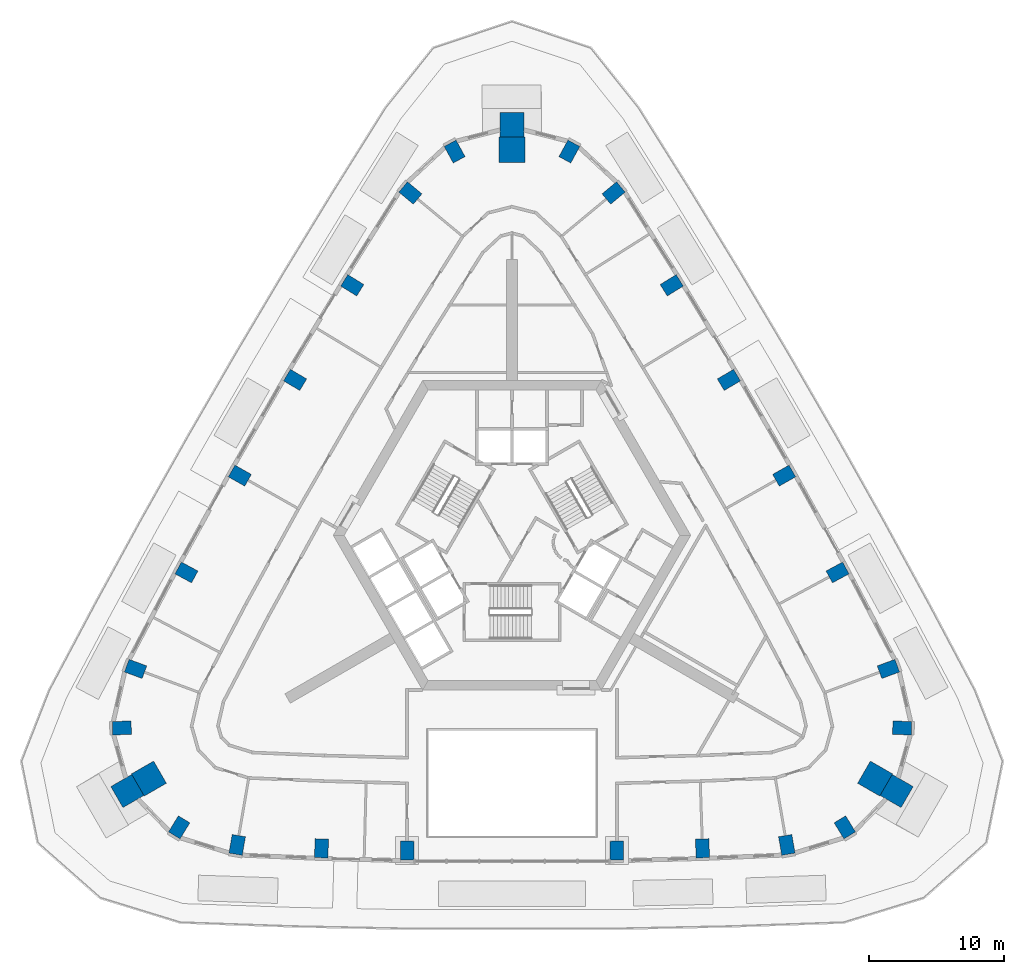
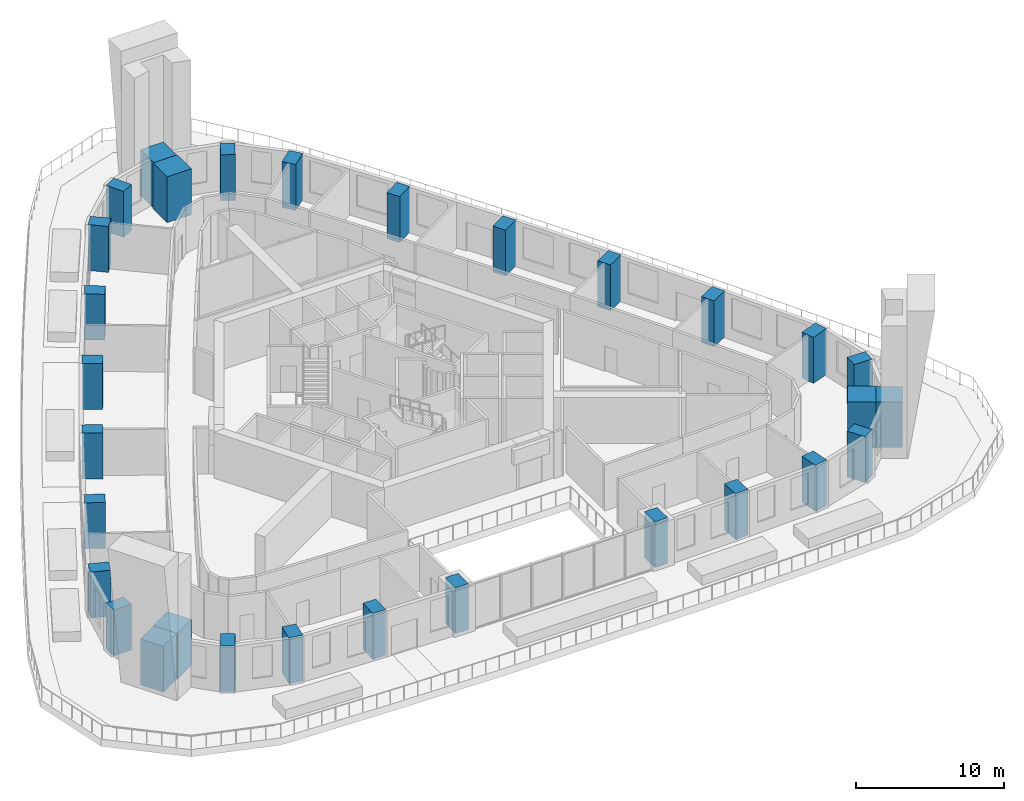
# One storey, part 1 of 13: 30 columns.
"""IFC4 building model written with IfcOpenShell, lengths in metres."""

from ifc_helpers import new_model, si_unit, direction, frame, origin, origin_2d, place, context, subcontext, project, spatial, rectangle, extrude, material, material_profile, profile_set, type_object, element, save


model = new_model("IFC4")

# Units and contexts
model_context = context("Model", 3, precision=1e-05, world=origin(), true_north=direction((0.0, 1.0)))
body_context = subcontext(model_context, "Body", "Model", "MODEL_VIEW")
ifc_project = project(units=[si_unit("LENGTHUNIT", "METRE"), si_unit("AREAUNIT", "SQUARE_METRE"), si_unit("VOLUMEUNIT", "CUBIC_METRE"), si_unit("PLANEANGLEUNIT", "RADIAN"), si_unit("MASSUNIT", "GRAM", prefix="KILO")], contexts=[model_context])

# Site, building, storey
site_placement = place(None, origin())
site = spatial("IfcSite", under=ifc_project, at=site_placement, CompositionType="ELEMENT")
building_placement = place(site_placement, origin())
building = spatial("IfcBuilding", under=site, at=building_placement, Name="Entoto Arch Interchange Tower", CompositionType="ELEMENT")
storey_placement = place(building_placement, frame((0.0, 0.0, 189.800048828125)))
storey = spatial("IfcBuildingStorey", under=building, at=storey_placement, Name="L42", CompositionType="ELEMENT", Elevation=189.800048828125)

# Columns
ifc_material_1 = material(Name="Concrete C50/60", Category="concrete")
ifc_material_profile_1 = material_profile(ifc_material_1, rectangle(XDim=1.0, YDim=1.39990234375, at=origin_2d()))
ifc_profile_set_1 = profile_set([ifc_material_profile_1], Name="Concrete C50/60")
column_type_1 = type_object("IfcColumnType", Name="Column RC 1000x1400 C50/60", PredefinedType="COLUMN", material=ifc_profile_set_1)
for number, where, z_axis, x_axis, name in (
    (1, (-20.4169921875, -20.5048828125, 0.0), (0.0, 0.0, 1.0), (-0.985541276773, 0.169435509195, 0.0), "Column S01 L42"),
    (2, (-14.154052734375, -20.760009765625, 0.0), (0.0, 0.0, 1.0), (-0.999420902032, 0.034027350502, 0.0), "Column S02 L42"),
    (3, (-7.7880859375, -20.927001953125, 0.0), (0.0, 0.0, 1.0), (-0.999913181484, 0.013176854508, 0.0), "Column S03 L42"),
    (4, (7.7880859375, -20.927001953125, 0.0), (0.0, 0.0, 1.0), (0.999913181484, 0.013176854508, 0.0), "Column S04 L42"),
    (5, (14.154052734375, -20.760009765625, 0.0), (0.0, 0.0, 1.0), (0.999420902032, 0.034027350502, 0.0), "Column S05 L42"),
    (6, (20.4169921875, -20.5048828125, 0.0), (0.0, 0.0, 1.0), (0.985541276773, 0.169435509195, 0.0), "Column S06 L42"),
    (7, (24.72802734375, -19.198974609375, 0.0), (0.0, 0.0, 1.0), (0.853423465127, 0.521218178089, 0.0), "Column SE1 L42"),
    (8, (28.989990234375, -11.81591796875, 0.0), (0.0, 0.0, 1.0), (0.024676450576, 0.99969549003, 0.0), "Column SE3 L42"),
    (9, (27.967041015625, -7.428955078125, 0.0), (0.0, 0.0, 1.0), (-0.34706660219, 0.937840484114, 0.0), "Column NE01 L42"),
    (10, (24.18798828125, -0.259033203125, 0.0), (0.0, 0.0, 1.0), (-0.474134310084, 0.880452529102, 0.0), "Column NE02 L42"),
    (11, (20.221923828125, 6.93408203125, 0.0), (0.0, 0.0, 1.0), (-0.491435856222, 0.870913772551, 0.0), "Column NE03 L42"),
    (12, (16.115966796875, 14.0458984375, 0.0), (0.0, 0.0, 1.0), (-0.508515523424, 0.861052822095, 0.0), "Column NE04 L42"),
    (13, (11.868896484375, 21.075927734375, 0.0), (0.0, 0.0, 1.0), (-0.525427101986, 0.850838621889, 0.0), "Column NE05 L42"),
    (14, (7.549072265625, 27.93505859375, 0.0), (0.0, 0.0, 1.0), (-0.638660382845, 0.769488736359, 0.0), "Column NE06 L42"),
    (15, (4.261962890625, 31.014892578125, 0.0), (0.0, 0.0, 1.0), (-0.878099915703, 0.478477311941, 0.0), "Column N1 L42"),
    (16, (-4.261962890625, 31.014892578125, 0.0), (0.0, 0.0, 1.0), (0.878099915703, 0.478477311941, 0.0), "Column N3 L42"),
    (17, (-7.549072265625, 27.93505859375, 0.0), (0.0, 0.0, 1.0), (0.638660382845, 0.769488736359, 0.0), "Column NW01 L42"),
    (18, (-11.868896484375, 21.075927734375, 0.0), (0.0, 0.0, 1.0), (0.525427101986, 0.850838621889, 0.0), "Column NW02 L42"),
    (19, (-16.115966796875, 14.0458984375, 0.0), (0.0, 0.0, 1.0), (0.508515523424, 0.861052822095, 0.0), "Column NW03 L42"),
    (20, (-20.221923828125, 6.93408203125, 0.0), (0.0, 0.0, 1.0), (0.491435856222, 0.870913772551, 0.0), "Column NW04 L42"),
    (21, (-24.18798828125, -0.259033203125, 0.0), (0.0, 0.0, 1.0), (0.474134310084, 0.880452529102, 0.0), "Column NW05 L42"),
    (22, (-27.967041015625, -7.428955078125, 0.0), (0.0, 0.0, 1.0), (0.34706660219, 0.937840484114, 0.0), "Column NW06 L42"),
    (23, (-28.989990234375, -11.81591796875, 0.0), (0.0, 0.0, 1.0), (-0.024676450576, 0.99969549003, 0.0), "Column SW1 L42"),
    (24, (-24.72802734375, -19.198974609375, 0.0), (0.0, 0.0, 1.0), (-0.853423465127, 0.521218178089, 0.0), "Column SW3 L42"),
):
    element("IfcColumn", number, at=place(storey_placement, frame(where, z_axis=z_axis, x_axis=x_axis)), inside=storey, type_object=column_type_1, Name=name, PredefinedType="COLUMN", context=body_context, shape_type="SweptSolid", body=[
        extrude(rectangle(XDim=1.0, YDim=1.39990234375, at=origin_2d()), origin(), (0.0, 0.0, 1.0), 3.800048828125),
    ])
ifc_material_2 = material(Name="Precast concrete C40/50", Category="concrete")
ifc_material_profile_2 = material_profile(ifc_material_2, rectangle(XDim=1.800048828125, YDim=1.800048828125, at=origin_2d()))
ifc_profile_set_2 = profile_set([ifc_material_profile_2], Name="Precast concrete C40/50")
column_type_2 = type_object("IfcColumnType", Name="Frame post RC 1800x1800 precast C40/50", PredefinedType="COLUMN", material=ifc_profile_set_2)
for number, where, z_axis, x_axis, name in (
    (25, (28.5791015625, -16.5, 0.0), (0.0, 0.0, 1.0), (-0.866025403784, 0.5, 0.0), "Frame post SE L42"),
    (26, (0.0, 33.0, 0.0), (0.0, 0.0, 1.0), (0.0, 1.0, 0.0), "Frame post N L42"),
    (27, (-28.5791015625, -16.5, 0.0), (0.0, 0.0, 1.0), (0.866025403784, 0.5, 0.0), "Frame post SW L42"),
):
    element("IfcColumn", number, at=place(storey_placement, frame(where, z_axis=z_axis, x_axis=x_axis)), inside=storey, type_object=column_type_2, Name=name, PredefinedType="COLUMN", context=body_context, shape_type="SweptSolid", body=[
        extrude(rectangle(XDim=1.800048828125, YDim=1.800048828125, at=origin_2d()), origin(), (0.0, 0.0, 1.0), 3.800048828125),
    ])
ifc_material_profile_3 = material_profile(ifc_material_1, rectangle(XDim=1.89990234375, YDim=1.89990234375, at=origin_2d()))
ifc_profile_set_3 = profile_set([ifc_material_profile_3], Name="Concrete C50/60")
column_type_3 = type_object("IfcColumnType", Name="Mega column RC 1900x1900 C50/60", PredefinedType="COLUMN", material=ifc_profile_set_3)
for number, where, z_axis, x_axis, name in (
    (28, (26.97705078125, -15.574951171875, 0.0), (0.0, 0.0, 1.0), (-0.866025403784, 0.5, 0.0), "Corner mega column SE2 L42"),
    (29, (0.0, 31.14990234375, 0.0), (0.0, 0.0, 1.0), (0.0, 1.0, 0.0), "Corner mega column N2 L42"),
    (30, (-26.97705078125, -15.574951171875, 0.0), (0.0, 0.0, 1.0), (0.866025403784, 0.5, 0.0), "Corner mega column SW2 L42"),
):
    element("IfcColumn", number, at=place(storey_placement, frame(where, z_axis=z_axis, x_axis=x_axis)), inside=storey, type_object=column_type_3, Name=name, PredefinedType="COLUMN", context=body_context, shape_type="SweptSolid", body=[
        extrude(rectangle(XDim=1.89990234375, YDim=1.89990234375, at=origin_2d()), origin(), (0.0, 0.0, 1.0), 3.800048828125),
    ])

save(model, "model.ifc")
